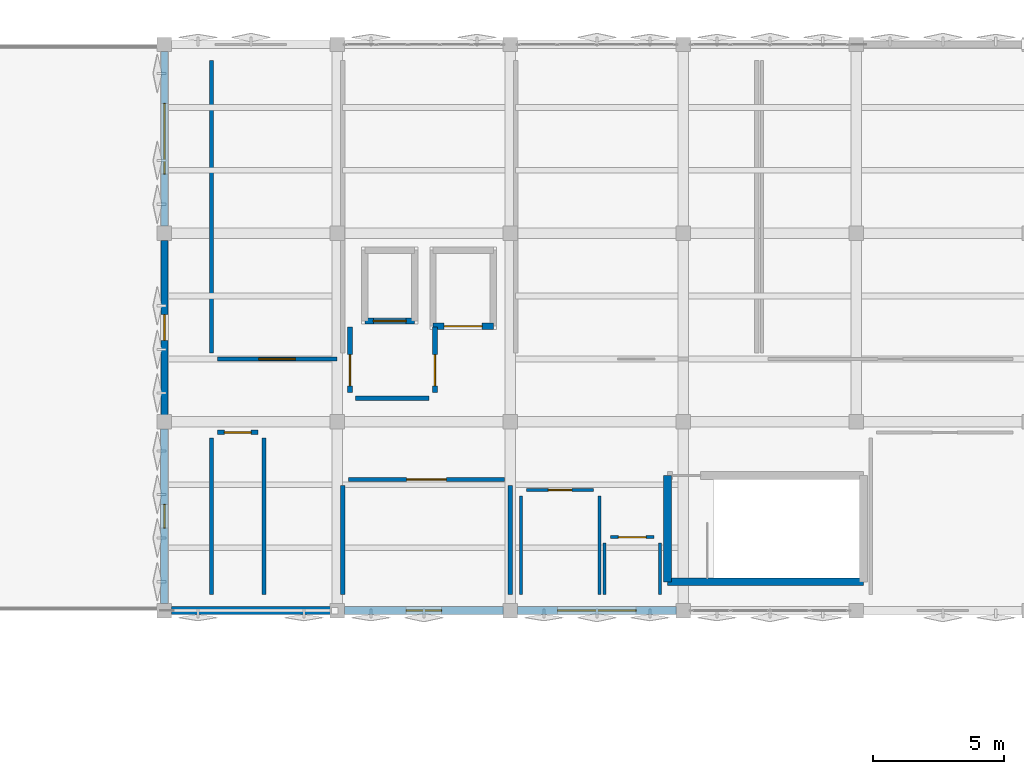
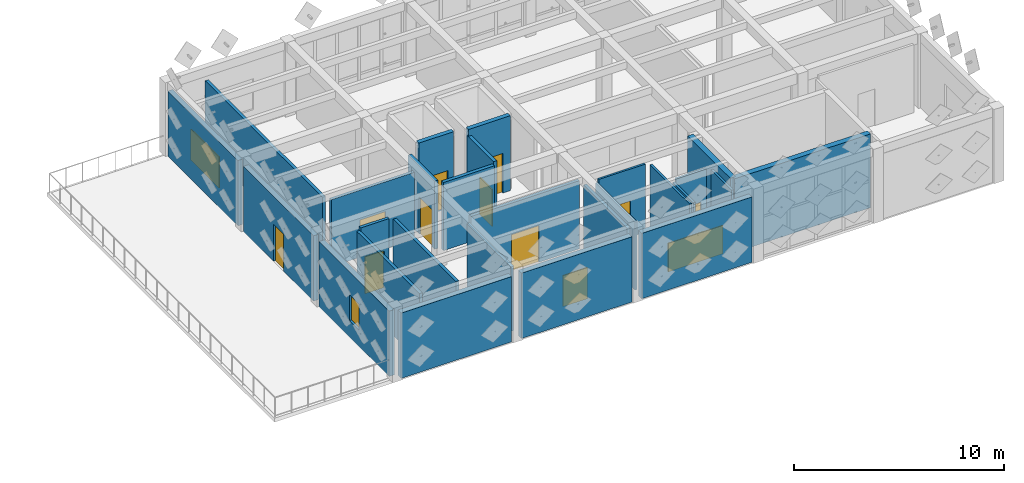
# One storey, part 22 of 29: 27 walls, 10 doors, 4 windows, 14 openings.
"""IFC4 building model written with IfcOpenShell, lengths in metres."""

from ifc_helpers import new_model, si_unit, direction, frame, frame_2d, origin, place, context, subcontext, project, spatial, rectangle, extrude, material, layer, layer_set, type_object, element, fill, save


model = new_model("IFC4")

# Units and contexts
model_context = context("Model", 3, precision=1e-05, world=origin(), true_north=direction((0.0, 1.0)))
body_context = subcontext(model_context, "Body", "Model", "MODEL_VIEW")
ifc_project = project(units=[si_unit("LENGTHUNIT", "METRE"), si_unit("AREAUNIT", "SQUARE_METRE"), si_unit("VOLUMEUNIT", "CUBIC_METRE"), si_unit("PLANEANGLEUNIT", "RADIAN"), si_unit("MASSUNIT", "GRAM", prefix="KILO")], contexts=[model_context])

# Site, building, storey
site_placement = place(None, origin())
site = spatial("IfcSite", under=ifc_project, at=site_placement, CompositionType="ELEMENT")
building_placement = place(site_placement, origin())
building = spatial("IfcBuilding", under=site, at=building_placement, Name="Kharisveld Research Institute", CompositionType="ELEMENT")
storey_placement = place(building_placement, frame((0.0, 0.0, 32.10009765625)))
storey = spatial("IfcBuildingStorey", under=building, at=storey_placement, Name="L07", CompositionType="ELEMENT", Elevation=32.10009765625)

# Wall, opening, door
ifc_material_1 = material(Name="Concrete C40/50", Category="concrete")
ifc_layer_1 = layer(ifc_material_1, 0.239990234375)
ifc_layer_set_1 = layer_set([ifc_layer_1], Name="WL_CORE_240")
wall_type_1 = type_object("IfcWallType", Name="WL_CORE_240", PredefinedType="SHEAR", material=ifc_layer_set_1)
wall_1_placement = place(storey_placement, frame((137.35009765625, 50.25, 0.0), z_axis=(0.0, 0.0, 1.0), x_axis=(-1.0, 0.0, 0.0)))
wall_1 = element("IfcWall", 1, at=wall_1_placement, inside=storey, type_object=wall_type_1, Name="WL:LFT:FFL-02:L07:S", PredefinedType="SHEAR", context=body_context, shape_type="SweptSolid", body=[
    extrude(rectangle(XDim=1.900146484375, YDim=0.239990234375, at=frame_2d((0.9501953125, 0.0))), origin(), (0.0, 0.0, 1.0), 4.349853515625),
])
opening_1_placement = place(wall_1_placement, frame((0.324951171875, 0.0, 0.0)))
opening_1 = element("IfcOpeningElement", 2, at=opening_1_placement, cuts=wall_1, Name="Opening LD-02", PredefinedType="OPENING", context=body_context, shape_type="SweptSolid", body=[
    extrude(rectangle(XDim=1.25, YDim=2.199951171875, at=frame_2d((0.625, 1.10009765625))), frame((0.0, 0.1201171875, 0.0), z_axis=(0.0, -1.0, 0.0), x_axis=(1.0, 0.0, 0.0)), (0.0, 0.0, 1.0), 0.239990234375),
])
ifc_material_2 = material(Name="Flush Painted Hardwood and Anodised Aluminium", Category="wood")
door_type_1 = type_object("IfcDoorType", Name="DR_LFT_125", OperationType="SLIDING_TO_RIGHT", PredefinedType="DOOR", material=ifc_material_2)
door_1_placement = place(opening_1_placement, origin())
door_1 = element("IfcDoor", 3, at=door_1_placement, inside=storey, type_object=door_type_1, Name="FFL-02 Lift Landing Door L07", OperationType="SLIDING_TO_RIGHT", OverallHeight=2.199951171875, OverallWidth=1.25, PredefinedType="DOOR", context=body_context, shape_type="SweptSolid", body=[
    extrude(rectangle(XDim=1.25, YDim=2.199951171875, at=frame_2d((0.625, 1.10009765625))), frame((0.0, 0.02490234375, 0.0), z_axis=(0.0, -1.0, 0.0), x_axis=(1.0, 0.0, 0.0)), (0.0, 0.0, 1.0), 0.050048828125),
])
fill(opening_1, door_1)

wall_2_placement = place(storey_placement, frame((140.35009765625, 50.050048828125, 0.0), z_axis=(0.0, 0.0, 1.0), x_axis=(-1.0, 0.0, 0.0)))
wall_2 = element("IfcWall", 4, at=wall_2_placement, inside=storey, type_object=wall_type_1, Name="WL:LFT:GL-01:L07:S", PredefinedType="SHEAR", context=body_context, shape_type="SweptSolid", body=[
    extrude(rectangle(XDim=2.300048828125, YDim=0.239990234375, at=frame_2d((1.14990234375, 0.0))), origin(), (0.0, 0.0, 1.0), 4.349853515625),
])
opening_2_placement = place(wall_2_placement, frame((0.425048828125, 0.0, 0.0)))
opening_2 = element("IfcOpeningElement", 5, at=opening_2_placement, cuts=wall_2, Name="Opening LD-03", PredefinedType="OPENING", context=body_context, shape_type="SweptSolid", body=[
    extrude(rectangle(XDim=1.449951171875, YDim=2.300048828125, at=frame_2d((0.72509765625, 1.14990234375))), frame((0.0, 0.1201171875, 0.0), z_axis=(0.0, -1.0, 0.0), x_axis=(1.0, 0.0, 0.0)), (0.0, 0.0, 1.0), 0.239990234375),
])
ifc_material_3 = material(Name="Flush Painted Hardwood and Anodised Aluminium", Category="wood")
door_type_2 = type_object("IfcDoorType", Name="DR_LFT_145", OperationType="DOUBLE_DOOR_SLIDING", PredefinedType="DOOR", material=ifc_material_3)
door_2_placement = place(opening_2_placement, origin())
door_2 = element("IfcDoor", 6, at=door_2_placement, inside=storey, type_object=door_type_2, Name="GL-01 Lift Landing Door L07", OperationType="DOUBLE_DOOR_SLIDING", OverallHeight=2.300048828125, OverallWidth=1.449951171875, PredefinedType="DOOR", context=body_context, shape_type="SweptSolid", body=[
    extrude(rectangle(XDim=1.449951171875, YDim=2.300048828125, at=frame_2d((0.72509765625, 1.14990234375))), frame((0.0, 0.02490234375, 0.0), z_axis=(0.0, -1.0, 0.0), x_axis=(1.0, 0.0, 0.0)), (0.0, 0.0, 1.0), 0.050048828125),
])
fill(opening_2, door_2)

# Walls
ifc_material_4 = material(Name="Concrete C40/50", Category="concrete")
ifc_layer_2 = layer(ifc_material_4, 0.300048828125)
ifc_layer_set_2 = layer_set([ifc_layer_2], Name="WL_CORE_300")
wall_type_2 = type_object("IfcWallType", Name="WL_CORE_300", PredefinedType="SHEAR", material=ifc_layer_set_2)
wall_3_placement = place(storey_placement, frame((147.0, 40.300048828125, 0.0), z_axis=(0.0, 0.0, 1.0), x_axis=(0.0, 1.0, 0.0)))
element("IfcWall", 7, at=wall_3_placement, inside=storey, type_object=wall_type_2, Name="WL:STR:ST3:L07:W", PredefinedType="SHEAR", context=body_context, shape_type="SweptSolid", body=[
    extrude(rectangle(XDim=4.06005859375, YDim=0.300048828125, at=frame_2d((2.030029296875, 0.0))), origin(), (0.0, 0.0, 1.0), 4.27978515625),
])
wall_4_placement = place(storey_placement, frame((154.469970703125, 40.300048828125, 0.0), z_axis=(0.0, 0.0, 1.0), x_axis=(-1.0, 0.0, 0.0)))
element("IfcWall", 8, at=wall_4_placement, inside=storey, type_object=wall_type_2, Name="WL:STR:ST3:L07:S", PredefinedType="SHEAR", context=body_context, shape_type="SweptSolid", body=[
    extrude(rectangle(XDim=7.469970703125, YDim=0.300048828125, at=frame_2d((3.73486328125, 0.0))), origin(), (0.0, 0.0, 1.0), 4.27978515625),
])

# Wall, opening, window
ifc_material_5 = material(Name="Precast Concrete C40/50 Thermal Wall", Category="concrete")
ifc_layer_3 = layer(ifc_material_5, 0.260009765625)
ifc_layer_set_3 = layer_set([ifc_layer_3], Name="WL_EXT_260")
wall_type_3 = type_object("IfcWallType", Name="WL_EXT_260", PredefinedType="STANDARD", material=ifc_layer_set_3)
wall_5_placement = place(storey_placement, frame((127.800048828125, 53.8701171875, 0.0), z_axis=(0.0, 0.0, 1.0), x_axis=(0.0, 1.0, 0.0)))
wall_5 = element("IfcWall", 9, at=wall_5_placement, inside=storey, type_object=wall_type_3, Name="WL:V2:L07:W2", PredefinedType="STANDARD", context=body_context, shape_type="SweptSolid", body=[
    extrude(rectangle(XDim=6.659912109375, YDim=0.260009765625, at=frame_2d((3.330078125, 0.0))), origin(), (0.0, 0.0, 1.0), 3.789794921875),
])
opening_3_placement = place(wall_5_placement, frame((1.97998046875, 0.0, 0.949951171875)))
opening_3 = element("IfcOpeningElement", 10, at=opening_3_placement, cuts=wall_5, Name="Opening WN-07", PredefinedType="OPENING", context=body_context, shape_type="SweptSolid", body=[
    extrude(rectangle(XDim=2.699951171875, YDim=1.800048828125, at=frame_2d((1.35009765625, 0.89990234375))), frame((0.0, 0.1298828125, 0.0), z_axis=(0.0, -1.0, 0.0), x_axis=(1.0, 0.0, 0.0)), (0.0, 0.0, 1.0), 0.260009765625),
])
ifc_material_6 = material(Name="Low-E Double Glazing", Category="glass")
window_type_1 = type_object("IfcWindowType", Name="WN_07", PartitioningType="TRIPLE_PANEL_VERTICAL", PredefinedType="WINDOW", material=ifc_material_6)
window_1_placement = place(opening_3_placement, origin())
window_1 = element("IfcWindow", 11, at=window_1_placement, inside=storey, type_object=window_type_1, Name="WN:V2:L07:W2", OverallHeight=1.800048828125, OverallWidth=2.699951171875, PartitioningType="SINGLE_PANEL", PredefinedType="WINDOW", context=body_context, shape_type="SweptSolid", body=[
    extrude(rectangle(XDim=2.699951171875, YDim=1.800048828125, at=frame_2d((1.35009765625, 0.89990234375))), frame((0.0, 0.030029296875, 0.0), z_axis=(0.0, -1.0, 0.0), x_axis=(1.0, 0.0, 0.0)), (0.0, 0.0, 1.0), 0.06005859375),
])
fill(opening_3, window_1)

# Wall, opening, door
ifc_material_7 = material(Name="Precast Concrete C40/50 Thermal Wall", Category="concrete")
ifc_layer_4 = layer(ifc_material_7, 0.27490234375)
ifc_layer_set_4 = layer_set([ifc_layer_4], Name="WL_EXT_275")
wall_type_4 = type_object("IfcWallType", Name="WL_EXT_275", PredefinedType="STANDARD", material=ifc_layer_set_4)
wall_6_placement = place(storey_placement, frame((127.800048828125, 46.669921875, 0.0), z_axis=(0.0, 0.0, 1.0), x_axis=(0.0, 1.0, 0.0)))
wall_6 = element("IfcWall", 12, at=wall_6_placement, inside=storey, type_object=wall_type_4, Name="WL:V2:L07:W1", PredefinedType="STANDARD", context=body_context, shape_type="SweptSolid", body=[
    extrude(rectangle(XDim=6.66015625, YDim=0.27490234375, at=frame_2d((3.330078125, 0.0))), origin(), (0.0, 0.0, 1.0), 3.789794921875),
])
opening_4_placement = place(wall_6_placement, frame((2.840087890625, 0.0, 0.0)))
opening_4 = element("IfcOpeningElement", 13, at=opening_4_placement, cuts=wall_6, Name="Opening DE-113", PredefinedType="OPENING", context=body_context, shape_type="SweptSolid", body=[
    extrude(rectangle(XDim=0.97998046875, YDim=2.14990234375, at=frame_2d((0.489990234375, 1.074951171875))), frame((0.0, 0.137451171875, 0.0), z_axis=(0.0, -1.0, 0.0), x_axis=(1.0, 0.0, 0.0)), (0.0, 0.0, 1.0), 0.27490234375),
])
ifc_material_8 = material(Name="Thermally Broken Powder-Coated Aluminium", Category="aluminium")
door_type_3 = type_object("IfcDoorType", Name="DR_EXT_098", OperationType="NOTDEFINED", PredefinedType="DOOR", material=ifc_material_8)
door_3_placement = place(opening_4_placement, origin())
door_3 = element("IfcDoor", 14, at=door_3_placement, inside=storey, type_object=door_type_3, Name="DR:V2:L07:TER_W1", OperationType="SINGLE_SWING_RIGHT", OverallHeight=2.14990234375, OverallWidth=0.97998046875, PredefinedType="DOOR", context=body_context, shape_type="SweptSolid", body=[
    extrude(rectangle(XDim=0.97998046875, YDim=2.14990234375, at=frame_2d((0.489990234375, 1.074951171875))), frame((0.0, 0.02490234375, 0.0), z_axis=(0.0, -1.0, 0.0), x_axis=(1.0, 0.0, 0.0)), (0.0, 0.0, 1.0), 0.050048828125),
])
fill(opening_4, door_3)

# Wall, opening, window
ifc_material_9 = material(Name="Precast Concrete C40/50 Thermal Wall", Category="concrete")
ifc_layer_5 = layer(ifc_material_9, 0.2900390625)
ifc_layer_set_5 = layer_set([ifc_layer_5], Name="WL_EXT_290")
wall_type_5 = type_object("IfcWallType", Name="WL_EXT_290", PredefinedType="STANDARD", material=ifc_layer_set_5)
wall_7_placement = place(storey_placement, frame((127.800048828125, 39.469970703125, 0.0), z_axis=(0.0, 0.0, 1.0), x_axis=(0.0, 1.0, 0.0)))
wall_7 = element("IfcWall", 15, at=wall_7_placement, inside=storey, type_object=wall_type_5, Name="WL:V2:L07:W0", PredefinedType="STANDARD", context=body_context, shape_type="SweptSolid", body=[
    extrude(rectangle(XDim=6.659912109375, YDim=0.2900390625, at=frame_2d((3.330078125, 0.0))), origin(), (0.0, 0.0, 1.0), 3.789794921875),
])
opening_5_placement = place(wall_7_placement, frame((2.8798828125, 0.0, 0.949951171875)))
opening_5 = element("IfcOpeningElement", 16, at=opening_5_placement, cuts=wall_7, Name="Opening WN-05", PredefinedType="OPENING", context=body_context, shape_type="SweptSolid", body=[
    extrude(rectangle(XDim=0.89990234375, YDim=1.5, at=frame_2d((0.449951171875, 0.75))), frame((0.0, 0.14501953125, 0.0), z_axis=(0.0, -1.0, 0.0), x_axis=(1.0, 0.0, 0.0)), (0.0, 0.0, 1.0), 0.2900390625),
])
ifc_material_10 = material(Name="Low-E Double Glazing", Category="glass")
window_type_2 = type_object("IfcWindowType", Name="WN_05", PartitioningType="SINGLE_PANEL", PredefinedType="WINDOW", material=ifc_material_10)
window_2_placement = place(opening_5_placement, origin())
window_2 = element("IfcWindow", 17, at=window_2_placement, inside=storey, type_object=window_type_2, Name="WN:V2:L07:W0", OverallHeight=1.5, OverallWidth=0.89990234375, PartitioningType="SINGLE_PANEL", PredefinedType="WINDOW", context=body_context, shape_type="SweptSolid", body=[
    extrude(rectangle(XDim=0.89990234375, YDim=1.5, at=frame_2d((0.449951171875, 0.75))), frame((0.0, 0.030029296875, 0.0), z_axis=(0.0, -1.0, 0.0), x_axis=(1.0, 0.0, 0.0)), (0.0, 0.0, 1.0), 0.06005859375),
])
fill(opening_5, window_2)

ifc_material_11 = material(Name="Precast Concrete C40/50 Ochre Panel", Category="concrete")
ifc_layer_6 = layer(ifc_material_11, 0.304931640625)
ifc_layer_set_6 = layer_set([ifc_layer_6], Name="WL_EXT_305")
wall_type_6 = type_object("IfcWallType", Name="WL_EXT_305", PredefinedType="STANDARD", material=ifc_layer_set_6)
wall_8_placement = place(storey_placement, frame((147.330078125, 39.199951171875, 0.0), z_axis=(0.0, 0.0, 1.0), x_axis=(-1.0, 0.0, 0.0)))
wall_8 = element("IfcWall", 18, at=wall_8_placement, inside=storey, type_object=wall_type_6, Name="WL:V2:L07:S5", PredefinedType="STANDARD", context=body_context, shape_type="SweptSolid", body=[
    extrude(rectangle(XDim=6.06005859375, YDim=0.304931640625, at=frame_2d((3.030029296875, 0.0))), origin(), (0.0, 0.0, 1.0), 3.789794921875),
])
opening_6_placement = place(wall_8_placement, frame((1.530029296875, 0.0, 0.949951171875)))
opening_6 = element("IfcOpeningElement", 19, at=opening_6_placement, cuts=wall_8, Name="Opening WN-10", PredefinedType="OPENING", context=body_context, shape_type="SweptSolid", body=[
    extrude(rectangle(XDim=3.0, YDim=1.64990234375, at=frame_2d((1.5, 0.824951171875))), frame((0.0, 0.15234375, 0.0), z_axis=(0.0, -1.0, 0.0), x_axis=(1.0, 0.0, 0.0)), (0.0, 0.0, 1.0), 0.304931640625),
])
ifc_material_12 = material(Name="Low-E Double Glazing", Category="glass")
window_type_3 = type_object("IfcWindowType", Name="WN_10", PartitioningType="TRIPLE_PANEL_VERTICAL", PredefinedType="WINDOW", material=ifc_material_12)
window_3_placement = place(opening_6_placement, origin())
window_3 = element("IfcWindow", 20, at=window_3_placement, inside=storey, type_object=window_type_3, Name="WN:V2:L07:S5", OverallHeight=1.64990234375, OverallWidth=3.0, PartitioningType="SINGLE_PANEL", PredefinedType="WINDOW", context=body_context, shape_type="SweptSolid", body=[
    extrude(rectangle(XDim=3.0, YDim=1.64990234375, at=frame_2d((1.5, 0.824951171875))), frame((0.0, 0.030029296875, 0.0), z_axis=(0.0, -1.0, 0.0), x_axis=(1.0, 0.0, 0.0)), (0.0, 0.0, 1.0), 0.06005859375),
])
fill(opening_6, window_3)

wall_9_placement = place(storey_placement, frame((140.72998046875, 39.199951171875, 0.0), z_axis=(0.0, 0.0, 1.0), x_axis=(-1.0, 0.0, 0.0)))
wall_9 = element("IfcWall", 21, at=wall_9_placement, inside=storey, type_object=wall_type_6, Name="WL:V2:L07:S4", PredefinedType="STANDARD", context=body_context, shape_type="SweptSolid", body=[
    extrude(rectangle(XDim=6.06005859375, YDim=0.304931640625, at=frame_2d((3.030029296875, 0.0))), origin(), (0.0, 0.0, 1.0), 3.789794921875),
])
opening_7_placement = place(wall_9_placement, frame((2.35498046875, 0.0, 0.949951171875)))
opening_7 = element("IfcOpeningElement", 22, at=opening_7_placement, cuts=wall_9, Name="Opening WN-09", PredefinedType="OPENING", context=body_context, shape_type="SweptSolid", body=[
    extrude(rectangle(XDim=1.35009765625, YDim=1.800048828125, at=frame_2d((0.675048828125, 0.89990234375))), frame((0.0, 0.15234375, 0.0), z_axis=(0.0, -1.0, 0.0), x_axis=(1.0, 0.0, 0.0)), (0.0, 0.0, 1.0), 0.304931640625),
])
ifc_material_13 = material(Name="Low-E Double Glazing", Category="glass")
window_type_4 = type_object("IfcWindowType", Name="WN_09", PartitioningType="SINGLE_PANEL", PredefinedType="WINDOW", material=ifc_material_13)
window_4_placement = place(opening_7_placement, origin())
window_4 = element("IfcWindow", 23, at=window_4_placement, inside=storey, type_object=window_type_4, Name="WN:V2:L07:S4", OverallHeight=1.800048828125, OverallWidth=1.35009765625, PartitioningType="SINGLE_PANEL", PredefinedType="WINDOW", context=body_context, shape_type="SweptSolid", body=[
    extrude(rectangle(XDim=1.35009765625, YDim=1.800048828125, at=frame_2d((0.675048828125, 0.89990234375))), frame((0.0, 0.030029296875, 0.0), z_axis=(0.0, -1.0, 0.0), x_axis=(1.0, 0.0, 0.0)), (0.0, 0.0, 1.0), 0.06005859375),
])
fill(opening_7, window_4)

# Wall
wall_10_placement = place(storey_placement, frame((134.1298828125, 39.199951171875, 0.0), z_axis=(0.0, 0.0, 1.0), x_axis=(-1.0, 0.0, 0.0)))
element("IfcWall", 24, at=wall_10_placement, inside=storey, type_object=wall_type_6, Name="WL:V2:L07:S3", PredefinedType="STANDARD", context=body_context, shape_type="SweptSolid", body=[
    extrude(rectangle(XDim=6.059814453125, YDim=0.304931640625, at=frame_2d((3.02978515625, 0.0))), origin(), (0.0, 0.0, 1.0), 3.789794921875),
])

# Wall, opening, door
ifc_material_14 = material(Name="Acoustic Drywall Partition", Category="mineral")
ifc_layer_7 = layer(ifc_material_14, 0.1650390625)
ifc_layer_set_7 = layer_set([ifc_layer_7], Name="WL_LAB_165")
wall_type_7 = type_object("IfcWallType", Name="WL_LAB_165", PredefinedType="PARTITIONING", material=ifc_layer_set_7)
wall_11_placement = place(storey_placement, frame((129.820068359375, 48.800048828125, 0.0), z_axis=(0.0, 0.0, 1.0), x_axis=(1.0, 0.0, 0.0)))
wall_11 = element("IfcWall", 25, at=wall_11_placement, inside=storey, type_object=wall_type_7, Name="WL:RM:V2:L07:WLA:S", PredefinedType="PARTITIONING", context=body_context, shape_type="SweptSolid", body=[
    extrude(rectangle(XDim=4.559814453125, YDim=0.1650390625, at=frame_2d((2.27978515625, 0.0))), origin(), (0.0, 0.0, 1.0), 3.889892578125),
])
opening_8_placement = place(wall_11_placement, frame((1.5849609375, 0.0, 0.0)))
opening_8 = element("IfcOpeningElement", 26, at=opening_8_placement, cuts=wall_11, Name="Opening DI-257", PredefinedType="OPENING", context=body_context, shape_type="SweptSolid", body=[
    extrude(rectangle(XDim=1.389892578125, YDim=2.159912109375, at=frame_2d((0.69482421875, 1.080078125))), frame((0.0, 0.08251953125, 0.0), z_axis=(0.0, -1.0, 0.0), x_axis=(1.0, 0.0, 0.0)), (0.0, 0.0, 1.0), 0.1650390625),
])
ifc_material_15 = material(Name="Flush Painted Hardwood and Anodised Aluminium", Category="wood")
door_type_4 = type_object("IfcDoorType", Name="DR_VAR_17", OperationType="NOTDEFINED", PredefinedType="DOOR", material=ifc_material_15)
door_4_placement = place(opening_8_placement, origin())
door_4 = element("IfcDoor", 27, at=door_4_placement, inside=storey, type_object=door_type_4, Name="DR:RM:V2:L07:WLA:S", OperationType="SINGLE_SWING_RIGHT", OverallHeight=2.159912109375, OverallWidth=1.389892578125, PredefinedType="DOOR", context=body_context, shape_type="SweptSolid", body=[
    extrude(rectangle(XDim=1.389892578125, YDim=2.159912109375, at=frame_2d((0.69482421875, 1.080078125))), frame((0.0, 0.02490234375, 0.0), z_axis=(0.0, -1.0, 0.0), x_axis=(1.0, 0.0, 0.0)), (0.0, 0.0, 1.0), 0.050048828125),
])
fill(opening_8, door_4)

# Walls
wall_12_placement = place(storey_placement, frame((129.60009765625, 60.179931640625, 0.0), z_axis=(0.0, 0.0, 1.0), x_axis=(0.0, -1.0, 0.0)))
element("IfcWall", 28, at=wall_12_placement, inside=storey, type_object=wall_type_7, Name="WL:RM:V2:L07:WLA:W", PredefinedType="PARTITIONING", context=body_context, shape_type="SweptSolid", body=[
    extrude(rectangle(XDim=11.159912109375, YDim=0.1650390625, at=frame_2d((5.580078125, 0.0))), origin(), (0.0, 0.0, 1.0), 3.949951171875),
])
wall_13_placement = place(storey_placement, frame((131.60009765625, 39.820068359375, 0.0), z_axis=(0.0, 0.0, 1.0), x_axis=(0.0, 1.0, 0.0)))
element("IfcWall", 29, at=wall_13_placement, inside=storey, type_object=wall_type_7, Name="WL:RM:V2:L07:WLC:E", PredefinedType="PARTITIONING", context=body_context, shape_type="SweptSolid", body=[
    extrude(rectangle(XDim=5.9599609375, YDim=0.1650390625, at=frame_2d((2.97998046875, 0.0))), origin(), (0.0, 0.0, 1.0), 3.949951171875),
])

# Wall, opening, door
wall_14_placement = place(storey_placement, frame((131.3798828125, 46.0, 0.0), z_axis=(0.0, 0.0, 1.0), x_axis=(-1.0, 0.0, 0.0)))
wall_14 = element("IfcWall", 30, at=wall_14_placement, inside=storey, type_object=wall_type_7, Name="WL:RM:V2:L07:WLC:N", PredefinedType="PARTITIONING", context=body_context, shape_type="SweptSolid", body=[
    extrude(rectangle(XDim=1.559814453125, YDim=0.1650390625, at=frame_2d((0.77978515625, 0.0))), origin(), (0.0, 0.0, 1.0), 3.949951171875),
])
opening_9_placement = place(wall_14_placement, frame((0.27001953125, 0.0, 0.0)))
opening_9 = element("IfcOpeningElement", 31, at=opening_9_placement, cuts=wall_14, Name="Opening DI-260", PredefinedType="OPENING", context=body_context, shape_type="SweptSolid", body=[
    extrude(rectangle(XDim=1.02001953125, YDim=2.14990234375, at=frame_2d((0.510009765625, 1.074951171875))), frame((0.0, 0.08251953125, 0.0), z_axis=(0.0, -1.0, 0.0), x_axis=(1.0, 0.0, 0.0)), (0.0, 0.0, 1.0), 0.1650390625),
])
ifc_material_16 = material(Name="Flush Painted Hardwood and Anodised Aluminium", Category="wood")
door_type_5 = type_object("IfcDoorType", Name="DR_FD30_102", OperationType="NOTDEFINED", PredefinedType="DOOR", material=ifc_material_16)
door_5_placement = place(opening_9_placement, origin())
door_5 = element("IfcDoor", 32, at=door_5_placement, inside=storey, type_object=door_type_5, Name="DR:RM:V2:L07:WLC:N", OperationType="SINGLE_SWING_LEFT", OverallHeight=2.14990234375, OverallWidth=1.02001953125, PredefinedType="DOOR", context=body_context, shape_type="SweptSolid", body=[
    extrude(rectangle(XDim=1.02001953125, YDim=2.14990234375, at=frame_2d((0.510009765625, 1.074951171875))), frame((0.0, 0.02490234375, 0.0), z_axis=(0.0, -1.0, 0.0), x_axis=(1.0, 0.0, 0.0)), (0.0, 0.0, 1.0), 0.050048828125),
])
fill(opening_9, door_5)

# Walls
wall_15_placement = place(storey_placement, frame((129.60009765625, 45.780029296875, 0.0), z_axis=(0.0, 0.0, 1.0), x_axis=(0.0, -1.0, 0.0)))
element("IfcWall", 33, at=wall_15_placement, inside=storey, type_object=wall_type_7, Name="WL:RM:V2:L07:WLC:W", PredefinedType="PARTITIONING", context=body_context, shape_type="SweptSolid", body=[
    extrude(rectangle(XDim=5.9599609375, YDim=0.1650390625, at=frame_2d((2.97998046875, 0.0))), origin(), (0.0, 0.0, 1.0), 3.949951171875),
])
wall_16_placement = place(storey_placement, frame((141.0, 39.820068359375, 0.0), z_axis=(0.0, 0.0, 1.0), x_axis=(0.0, 1.0, 0.0)))
element("IfcWall", 34, at=wall_16_placement, inside=storey, type_object=wall_type_7, Name="WL:RM:V2:L07:WLE:E", PredefinedType="PARTITIONING", context=body_context, shape_type="SweptSolid", body=[
    extrude(rectangle(XDim=4.159912109375, YDim=0.1650390625, at=frame_2d((2.080078125, 0.0))), origin(), (0.0, 0.0, 1.0), 3.739990234375),
])

# Wall, opening, door
wall_17_placement = place(storey_placement, frame((140.780029296875, 44.199951171875, 0.0), z_axis=(0.0, 0.0, 1.0), x_axis=(-1.0, 0.0, 0.0)))
wall_17 = element("IfcWall", 35, at=wall_17_placement, inside=storey, type_object=wall_type_7, Name="WL:RM:V2:L07:WLE:N", PredefinedType="PARTITIONING", context=body_context, shape_type="SweptSolid", body=[
    extrude(rectangle(XDim=5.9599609375, YDim=0.1650390625, at=frame_2d((2.97998046875, 0.0))), origin(), (0.0, 0.0, 1.0), 3.949951171875),
])
opening_10_placement = place(wall_17_placement, frame((2.22509765625, 0.0, 0.0)))
opening_10 = element("IfcOpeningElement", 36, at=opening_10_placement, cuts=wall_17, Name="Opening DI-261", PredefinedType="OPENING", context=body_context, shape_type="SweptSolid", body=[
    extrude(rectangle(XDim=1.510009765625, YDim=2.1201171875, at=frame_2d((0.7548828125, 1.06005859375))), frame((0.0, 0.08251953125, 0.0), z_axis=(0.0, -1.0, 0.0), x_axis=(1.0, 0.0, 0.0)), (0.0, 0.0, 1.0), 0.1650390625),
])
ifc_material_17 = material(Name="Flush Painted Hardwood and Anodised Aluminium", Category="wood")
door_type_6 = type_object("IfcDoorType", Name="DR_VAR_21", OperationType="NOTDEFINED", PredefinedType="DOOR", material=ifc_material_17)
door_6_placement = place(opening_10_placement, origin())
door_6 = element("IfcDoor", 37, at=door_6_placement, inside=storey, type_object=door_type_6, Name="DR:RM:V2:L07:WLE:N", OperationType="SINGLE_SWING_RIGHT", OverallHeight=2.1201171875, OverallWidth=1.510009765625, PredefinedType="DOOR", context=body_context, shape_type="SweptSolid", body=[
    extrude(rectangle(XDim=1.510009765625, YDim=2.1201171875, at=frame_2d((0.7548828125, 1.06005859375))), frame((0.0, 0.02490234375, 0.0), z_axis=(0.0, -1.0, 0.0), x_axis=(1.0, 0.0, 0.0)), (0.0, 0.0, 1.0), 0.050048828125),
])
fill(opening_10, door_6)

# Walls
wall_18_placement = place(storey_placement, frame((134.60009765625, 43.97998046875, 0.0), z_axis=(0.0, 0.0, 1.0), x_axis=(0.0, -1.0, 0.0)))
element("IfcWall", 38, at=wall_18_placement, inside=storey, type_object=wall_type_7, Name="WL:RM:V2:L07:WLE:W", PredefinedType="PARTITIONING", context=body_context, shape_type="SweptSolid", body=[
    extrude(rectangle(XDim=4.159912109375, YDim=0.1650390625, at=frame_2d((2.080078125, 0.0))), origin(), (0.0, 0.0, 1.0), 3.739990234375),
])
ifc_material_18 = material(Name="Masonry Blockwork", Category="masonry")
ifc_layer_8 = layer(ifc_material_18, 0.18505859375)
ifc_layer_set_8 = layer_set([ifc_layer_8], Name="WL_LOB_185")
wall_type_8 = type_object("IfcWallType", Name="WL_LOB_185", PredefinedType="SOLIDWALL", material=ifc_layer_set_8)
wall_19_placement = place(storey_placement, frame((135.10009765625, 47.300048828125, 0.0), z_axis=(0.0, 0.0, 1.0), x_axis=(1.0, 0.0, 0.0)))
element("IfcWall", 39, at=wall_19_placement, inside=storey, type_object=wall_type_8, Name="WL:RM:V2:L07:FFL:S", PredefinedType="SOLIDWALL", context=body_context, shape_type="SweptSolid", body=[
    extrude(rectangle(XDim=2.7998046875, YDim=0.18505859375, at=frame_2d((1.39990234375, 0.0))), origin(), (0.0, 0.0, 1.0), 3.949951171875),
])

# Wall, opening, door
wall_20_placement = place(storey_placement, frame((138.1201171875, 47.52001953125, 0.0), z_axis=(0.0, 0.0, 1.0), x_axis=(0.0, 1.0, 0.0)))
wall_20 = element("IfcWall", 40, at=wall_20_placement, inside=storey, type_object=wall_type_8, Name="WL:RM:V2:L07:FFL:E", PredefinedType="SOLIDWALL", context=body_context, shape_type="SweptSolid", body=[
    extrude(rectangle(XDim=2.510009765625, YDim=0.18505859375, at=frame_2d((1.2548828125, 0.0))), origin(), (0.0, 0.0, 1.0), 3.949951171875),
])
opening_11_placement = place(wall_20_placement, frame((0.25, 0.0, 0.0)))
opening_11 = element("IfcOpeningElement", 41, at=opening_11_placement, cuts=wall_20, Name="Opening DI-253", PredefinedType="OPENING", context=body_context, shape_type="SweptSolid", body=[
    extrude(rectangle(XDim=1.199951171875, YDim=2.14990234375, at=frame_2d((0.60009765625, 1.074951171875))), frame((0.0, 0.092529296875, 0.0), z_axis=(0.0, -1.0, 0.0), x_axis=(1.0, 0.0, 0.0)), (0.0, 0.0, 1.0), 0.18505859375),
])
ifc_material_19 = material(Name="Flush Painted Hardwood and Anodised Aluminium", Category="wood")
door_type_7 = type_object("IfcDoorType", Name="DR_FD120_120", OperationType="NOTDEFINED", PredefinedType="DOOR", material=ifc_material_19)
door_7_placement = place(opening_11_placement, origin())
door_7 = element("IfcDoor", 42, at=door_7_placement, inside=storey, type_object=door_type_7, Name="DR:RM:V2:L07:FFL:E", OperationType="SINGLE_SWING_RIGHT", OverallHeight=2.14990234375, OverallWidth=1.199951171875, PredefinedType="DOOR", context=body_context, shape_type="SweptSolid", body=[
    extrude(rectangle(XDim=1.199951171875, YDim=2.14990234375, at=frame_2d((0.60009765625, 1.074951171875))), frame((0.0, 0.02490234375, 0.0), z_axis=(0.0, -1.0, 0.0), x_axis=(1.0, 0.0, 0.0)), (0.0, 0.0, 1.0), 0.050048828125),
])
fill(opening_11, door_7)

wall_21_placement = place(storey_placement, frame((134.8798828125, 50.030029296875, 0.0), z_axis=(0.0, 0.0, 1.0), x_axis=(0.0, -1.0, 0.0)))
wall_21 = element("IfcWall", 43, at=wall_21_placement, inside=storey, type_object=wall_type_8, Name="WL:RM:V2:L07:FFL:W", PredefinedType="SOLIDWALL", context=body_context, shape_type="SweptSolid", body=[
    extrude(rectangle(XDim=2.510009765625, YDim=0.18505859375, at=frame_2d((1.2548828125, 0.0))), origin(), (0.0, 0.0, 1.0), 3.949951171875),
])
opening_12_placement = place(wall_21_placement, frame((1.06005859375, 0.0, 0.0)))
opening_12 = element("IfcOpeningElement", 44, at=opening_12_placement, cuts=wall_21, Name="Opening DI-254", PredefinedType="OPENING", context=body_context, shape_type="SweptSolid", body=[
    extrude(rectangle(XDim=1.199951171875, YDim=2.14990234375, at=frame_2d((0.60009765625, 1.074951171875))), frame((0.0, 0.092529296875, 0.0), z_axis=(0.0, -1.0, 0.0), x_axis=(1.0, 0.0, 0.0)), (0.0, 0.0, 1.0), 0.18505859375),
])
door_8_placement = place(opening_12_placement, origin())
door_8 = element("IfcDoor", 45, at=door_8_placement, inside=storey, type_object=door_type_7, Name="DR:RM:V2:L07:FFL:W", OperationType="SINGLE_SWING_LEFT", OverallHeight=2.14990234375, OverallWidth=1.199951171875, PredefinedType="DOOR", context=body_context, shape_type="SweptSolid", body=[
    extrude(rectangle(XDim=1.199951171875, YDim=2.14990234375, at=frame_2d((0.60009765625, 1.074951171875))), frame((0.0, 0.02490234375, 0.0), z_axis=(0.0, -1.0, 0.0), x_axis=(1.0, 0.0, 0.0)), (0.0, 0.0, 1.0), 0.050048828125),
])
fill(opening_12, door_8)

# Wall
ifc_material_20 = material(Name="Moisture-Resistant Partition", Category="mineral")
ifc_layer_9 = layer(ifc_material_20, 0.114990234375)
ifc_layer_set_9 = layer_set([ifc_layer_9], Name="WL_WC_115")
wall_type_9 = type_object("IfcWallType", Name="WL_WC_115", PredefinedType="PARTITIONING", material=ifc_layer_set_9)
wall_22_placement = place(storey_placement, frame((144.39990234375, 39.820068359375, 0.0), z_axis=(0.0, 0.0, 1.0), x_axis=(0.0, 1.0, 0.0)))
element("IfcWall", 46, at=wall_22_placement, inside=storey, type_object=wall_type_9, Name="WL:RM:V2:L07:WCM:E", PredefinedType="PARTITIONING", context=body_context, shape_type="SweptSolid", body=[
    extrude(rectangle(XDim=3.760009765625, YDim=0.114990234375, at=frame_2d((1.8798828125, 0.0))), origin(), (0.0, 0.0, 1.0), 3.949951171875),
])

# Wall, opening, door
wall_23_placement = place(storey_placement, frame((144.179931640625, 43.800048828125, 0.0), z_axis=(0.0, 0.0, 1.0), x_axis=(-1.0, 0.0, 0.0)))
wall_23 = element("IfcWall", 47, at=wall_23_placement, inside=storey, type_object=wall_type_9, Name="WL:RM:V2:L07:WCM:N", PredefinedType="PARTITIONING", context=body_context, shape_type="SweptSolid", body=[
    extrude(rectangle(XDim=2.559814453125, YDim=0.114990234375, at=frame_2d((1.27978515625, 0.0))), origin(), (0.0, 0.0, 1.0), 3.949951171875),
])
opening_13_placement = place(wall_23_placement, frame((0.830078125, 0.0, 0.0)))
opening_13 = element("IfcOpeningElement", 48, at=opening_13_placement, cuts=wall_23, Name="Opening DI-255", PredefinedType="OPENING", context=body_context, shape_type="SweptSolid", body=[
    extrude(rectangle(XDim=0.89990234375, YDim=2.10009765625, at=frame_2d((0.449951171875, 1.050048828125))), frame((0.0, 0.0576171875, 0.0), z_axis=(0.0, -1.0, 0.0), x_axis=(1.0, 0.0, 0.0)), (0.0, 0.0, 1.0), 0.114990234375),
])
ifc_material_21 = material(Name="Flush Painted Hardwood and Anodised Aluminium", Category="wood")
door_type_8 = type_object("IfcDoorType", Name="DR_WC_090", OperationType="NOTDEFINED", PredefinedType="DOOR", material=ifc_material_21)
door_9_placement = place(opening_13_placement, origin())
door_9 = element("IfcDoor", 49, at=door_9_placement, inside=storey, type_object=door_type_8, Name="DR:RM:V2:L07:WCM:N", OperationType="SINGLE_SWING_RIGHT", OverallHeight=2.10009765625, OverallWidth=0.89990234375, PredefinedType="DOOR", context=body_context, shape_type="SweptSolid", body=[
    extrude(rectangle(XDim=0.89990234375, YDim=2.10009765625, at=frame_2d((0.449951171875, 1.050048828125))), frame((0.0, 0.02490234375, 0.0), z_axis=(0.0, -1.0, 0.0), x_axis=(1.0, 0.0, 0.0)), (0.0, 0.0, 1.0), 0.050048828125),
])
fill(opening_13, door_9)

# Walls
wall_24_placement = place(storey_placement, frame((141.39990234375, 43.580078125, 0.0), z_axis=(0.0, 0.0, 1.0), x_axis=(0.0, -1.0, 0.0)))
element("IfcWall", 50, at=wall_24_placement, inside=storey, type_object=wall_type_9, Name="WL:RM:V2:L07:WCM:W", PredefinedType="PARTITIONING", context=body_context, shape_type="SweptSolid", body=[
    extrude(rectangle(XDim=3.760009765625, YDim=0.114990234375, at=frame_2d((1.8798828125, 0.0))), origin(), (0.0, 0.0, 1.0), 3.949951171875),
])
wall_25_placement = place(storey_placement, frame((146.699951171875, 39.820068359375, 0.0), z_axis=(0.0, 0.0, 1.0), x_axis=(0.0, 1.0, 0.0)))
element("IfcWall", 51, at=wall_25_placement, inside=storey, type_object=wall_type_9, Name="WL:RM:V2:L07:WCA:E", PredefinedType="PARTITIONING", context=body_context, shape_type="SweptSolid", body=[
    extrude(rectangle(XDim=1.9599609375, YDim=0.114990234375, at=frame_2d((0.97998046875, 0.0))), origin(), (0.0, 0.0, 1.0), 3.949951171875),
])

# Wall, opening, door
wall_26_placement = place(storey_placement, frame((146.47998046875, 42.0, 0.0), z_axis=(0.0, 0.0, 1.0), x_axis=(-1.0, 0.0, 0.0)))
wall_26 = element("IfcWall", 52, at=wall_26_placement, inside=storey, type_object=wall_type_9, Name="WL:RM:V2:L07:WCA:N", PredefinedType="PARTITIONING", context=body_context, shape_type="SweptSolid", body=[
    extrude(rectangle(XDim=1.659912109375, YDim=0.114990234375, at=frame_2d((0.830078125, 0.0))), origin(), (0.0, 0.0, 1.0), 3.949951171875),
])
opening_14_placement = place(wall_26_placement, frame((0.300048828125, 0.0, 0.0)))
opening_14 = element("IfcOpeningElement", 53, at=opening_14_placement, cuts=wall_26, Name="Opening DI-256", PredefinedType="OPENING", context=body_context, shape_type="SweptSolid", body=[
    extrude(rectangle(XDim=1.06005859375, YDim=2.1201171875, at=frame_2d((0.530029296875, 1.06005859375))), frame((0.0, 0.0576171875, 0.0), z_axis=(0.0, -1.0, 0.0), x_axis=(1.0, 0.0, 0.0)), (0.0, 0.0, 1.0), 0.114990234375),
])
ifc_material_22 = material(Name="Flush Painted Hardwood and Anodised Aluminium", Category="wood")
door_type_9 = type_object("IfcDoorType", Name="DR_WCA_106", OperationType="NOTDEFINED", PredefinedType="DOOR", material=ifc_material_22)
door_10_placement = place(opening_14_placement, origin())
door_10 = element("IfcDoor", 54, at=door_10_placement, inside=storey, type_object=door_type_9, Name="DR:RM:V2:L07:WCA:N", OperationType="SINGLE_SWING_LEFT", OverallHeight=2.1201171875, OverallWidth=1.06005859375, PredefinedType="DOOR", context=body_context, shape_type="SweptSolid", body=[
    extrude(rectangle(XDim=1.06005859375, YDim=2.1201171875, at=frame_2d((0.530029296875, 1.06005859375))), frame((0.0, 0.02490234375, 0.0), z_axis=(0.0, -1.0, 0.0), x_axis=(1.0, 0.0, 0.0)), (0.0, 0.0, 1.0), 0.050048828125),
])
fill(opening_14, door_10)

# Wall
wall_27_placement = place(storey_placement, frame((144.60009765625, 41.780029296875, 0.0), z_axis=(0.0, 0.0, 1.0), x_axis=(0.0, -1.0, 0.0)))
element("IfcWall", 55, at=wall_27_placement, inside=storey, type_object=wall_type_9, Name="WL:RM:V2:L07:WCA:W", PredefinedType="PARTITIONING", context=body_context, shape_type="SweptSolid", body=[
    extrude(rectangle(XDim=1.9599609375, YDim=0.114990234375, at=frame_2d((0.97998046875, 0.0))), origin(), (0.0, 0.0, 1.0), 3.949951171875),
])

save(model, "model.ifc")
